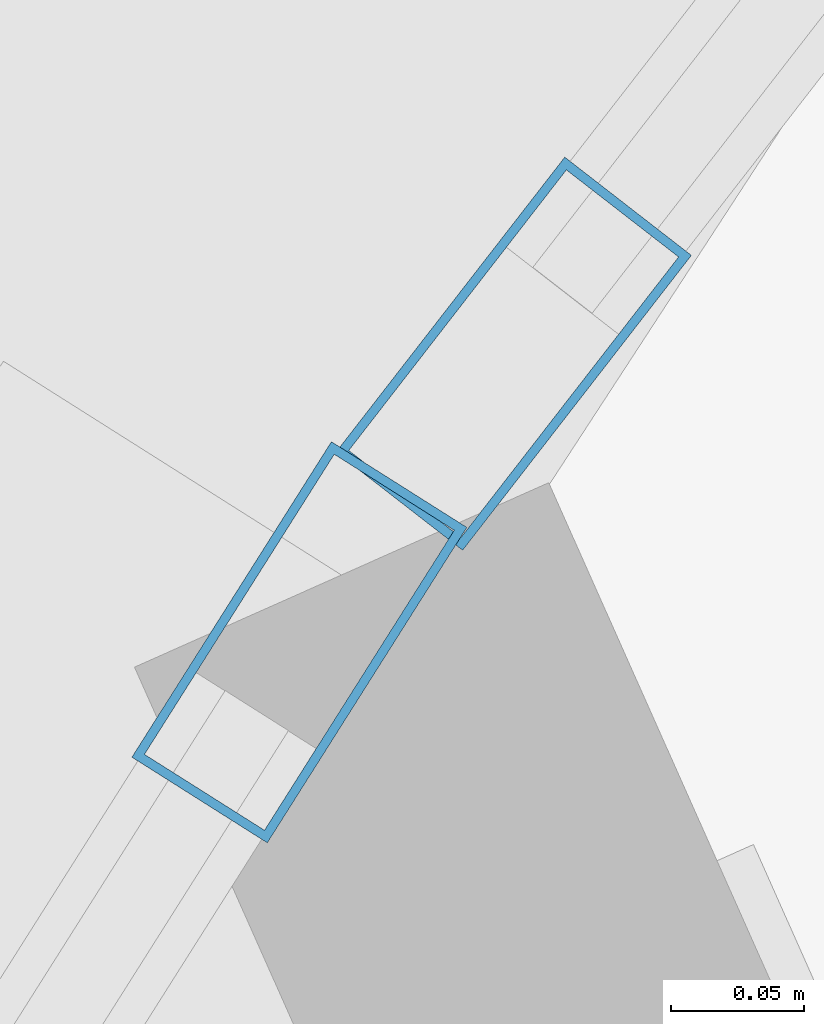
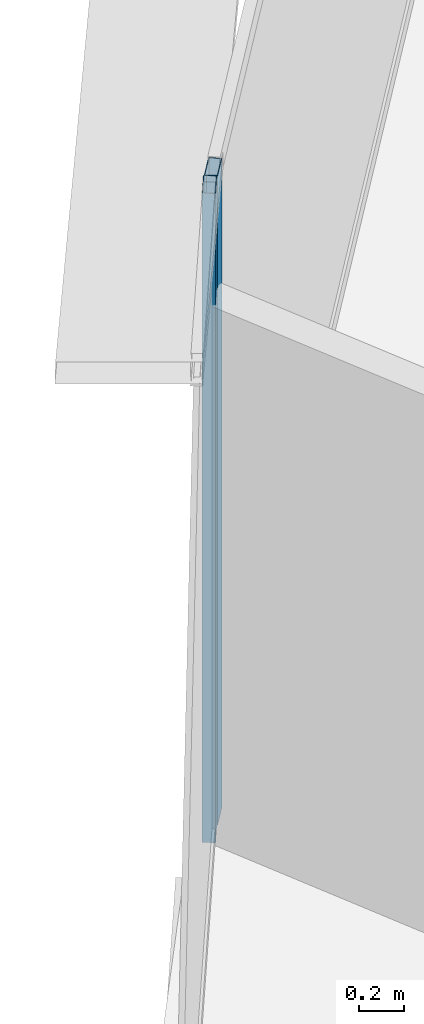
# One storey, part 20 of 33: 2 members, 2 elements without a shape of their own.
"""IFC4 building model written with IfcOpenShell, lengths in metres."""

import ifcopenshell
import ifcopenshell.guid

model = None  # the IFC model being written
_history = None  # IfcOwnerHistory: only IFC2X3 demands one
_inside = {}  # id of a spatial element -> (the spatial element, [elements in it])
_under = {}  # id of a project, library or spatial element -> (it, [spatial elements below it])
_declared = {}  # id of a project -> (the project, [libraries it declares])
_typed = {}  # id of a type object -> (the type object, [elements of that type])
_made_of = {}  # id of a material, layer set ... -> (it, [elements and type objects made of it])


def new_model(schema):
    """Start an empty IFC model of exactly this schema.

    Asked for "IFC4X3", IfcOpenShell would pick the latest addendum, in which some entities
    have other attributes; the version numbers below select the first issue.
    IFC2X3 requires an IfcOwnerHistory on every rooted entity: one is made here for all.
    """
    global model, _history
    if schema == "IFC4X3":
        model = ifcopenshell.file(schema_version=(4, 3, 0, 0))
    else:
        model = ifcopenshell.file(schema=schema)
    _inside.clear()
    _under.clear()
    _declared.clear()
    _typed.clear()
    _made_of.clear()
    _history = None
    if model.schema == "IFC2X3":
        org = make("IfcOrganization", Name="unknown")
        user = make(
            "IfcPersonAndOrganization",
            ThePerson=make("IfcPerson", FamilyName="unknown"),
            TheOrganization=org,
        )
        app = make(
            "IfcApplication",
            ApplicationDeveloper=org,
            Version="unknown",
            ApplicationFullName="unknown",
            ApplicationIdentifier="unknown",
        )
        _history = make(
            "IfcOwnerHistory",
            OwningUser=user,
            OwningApplication=app,
            ChangeAction="ADDED",
            CreationDate=0,
        )
    return model


def make(cls, **values):
    """One entity of the class cls with the attributes given. An attribute that is None is left unset."""
    return model.create_entity(
        cls, **{name: value for name, value in values.items() if value is not None}
    )


def rooted(cls, **values):
    """An entity with a GlobalId (a new one), such as an element, a storey or a relation."""
    return make(cls, GlobalId=ifcopenshell.guid.new(), OwnerHistory=_history, **values)


def si_unit(unit_type, name, prefix=None):
    """IfcSIUnit, for example si_unit("LENGTHUNIT", "METRE", prefix="MILLI")."""
    return make("IfcSIUnit", UnitType=unit_type, Prefix=prefix, Name=name)


def assignment(units):
    """IfcUnitAssignment: the units of a project."""
    return None if units is None else make("IfcUnitAssignment", Units=units)


def point(xyz):
    """IfcCartesianPoint."""
    return None if xyz is None else make("IfcCartesianPoint", Coordinates=xyz)


def direction(xyz):
    """IfcDirection."""
    return None if xyz is None else make("IfcDirection", DirectionRatios=xyz)


def frame(location, z_axis=None, x_axis=None):
    """IfcAxis2Placement3D, a coordinate frame: its origin and axes. An axis left out is left unset."""
    return make(
        "IfcAxis2Placement3D",
        Location=point(location),
        Axis=direction(z_axis),
        RefDirection=direction(x_axis),
    )


def frame_2d(location, x_axis=None):
    """IfcAxis2Placement2D, a coordinate frame in the plane: its origin and x axis."""
    return make(
        "IfcAxis2Placement2D", Location=point(location), RefDirection=direction(x_axis)
    )


def origin():
    """The frame at (0, 0, 0) with its axes left unset."""
    return frame((0.0, 0.0, 0.0))


def origin_2d():
    """The frame at (0, 0) in the plane with its x axis left unset."""
    return frame_2d((0.0, 0.0))


def place(relative_to, where):
    """IfcLocalPlacement: puts the frame where relative to a parent placement (None: the world)."""
    return make(
        "IfcLocalPlacement", PlacementRelTo=relative_to, RelativePlacement=where
    )


def context(
    kind, dimensions, precision=None, world=None, true_north=None, identifier=None
):
    """IfcGeometricRepresentationContext, for example the 3D "Model" context."""
    return make(
        "IfcGeometricRepresentationContext",
        ContextIdentifier=identifier,
        ContextType=kind,
        CoordinateSpaceDimension=dimensions,
        Precision=precision,
        WorldCoordinateSystem=world,
        TrueNorth=true_north,
    )


def subcontext(parent, identifier, kind, view, scale=None):
    """IfcGeometricRepresentationSubContext, for example "Body" below "Model"."""
    return make(
        "IfcGeometricRepresentationSubContext",
        ContextIdentifier=identifier,
        ContextType=kind,
        ParentContext=parent,
        TargetScale=scale,
        TargetView=view,
    )


def project(units=None, contexts=None):
    """IfcProject with its units and contexts."""
    return rooted(
        "IfcProject",
        Name="project",
        RepresentationContexts=contexts,
        UnitsInContext=assignment(units),
    )


def spatial(cls, under=None, at=None, **own):
    """A site, building, storey or space (cls), placed at a placement, below another one or the project."""
    s = rooted(cls, ObjectPlacement=at, **own)
    if under is not None:
        _under.setdefault(under.id(), (under, []))[1].append(s)
    return s


def profile(cls, at=None, kind="AREA", **sizes):
    """A parametric profile (cls). Its sizes go by their IFC names, for example OverallWidth=200.0."""
    return make(cls, ProfileType=kind, Position=at, **sizes)


def hollow_rectangle(**sizes):
    """IfcRectangleHollowProfileDef."""
    return profile("IfcRectangleHollowProfileDef", **sizes)


def extrude(swept, where, along, depth):
    """IfcExtrudedAreaSolid: the profile swept, set in the frame where, extruded along a direction by depth."""
    return make(
        "IfcExtrudedAreaSolid",
        SweptArea=swept,
        Position=where,
        ExtrudedDirection=direction(along),
        Depth=depth,
    )


def shape(context_of_items, identifier, shape_type, items):
    """IfcShapeRepresentation: the items that make up one representation, for example the "Body"."""
    return make(
        "IfcShapeRepresentation",
        ContextOfItems=context_of_items,
        RepresentationIdentifier=identifier,
        RepresentationType=shape_type,
        Items=items,
    )


def source(mapping_origin, context_of_items, identifier, shape_type, items):
    """IfcRepresentationMap: a shape defined once, which mapped items show again and again."""
    return make(
        "IfcRepresentationMap",
        MappingOrigin=mapping_origin,
        MappedRepresentation=shape(context_of_items, identifier, shape_type, items),
    )


def transform(
    local_origin,
    x_axis=None,
    y_axis=None,
    z_axis=None,
    scale=None,
    scale2=None,
    scale3=None,
    uniform=True,
):
    """IfcCartesianTransformationOperator3D, or its non-uniform kind. x_axis, y_axis, z_axis: its Axis1, 2, 3."""
    if uniform:
        return make(
            "IfcCartesianTransformationOperator3D",
            Axis1=direction(x_axis),
            Axis2=direction(y_axis),
            LocalOrigin=point(local_origin),
            Scale=scale,
            Axis3=direction(z_axis),
        )
    return make(
        "IfcCartesianTransformationOperator3DnonUniform",
        Axis1=direction(x_axis),
        Axis2=direction(y_axis),
        LocalOrigin=point(local_origin),
        Scale=scale,
        Axis3=direction(z_axis),
        Scale2=scale2,
        Scale3=scale3,
    )


def mapped(mapping_source, mapping_target):
    """IfcMappedItem: shows the shape of a source again, moved by a transform."""
    return make(
        "IfcMappedItem", MappingSource=mapping_source, MappingTarget=mapping_target
    )


def material(Name=None, Category=None):
    """IfcMaterial."""
    return make("IfcMaterial", Name=Name, Category=Category)


def layer(
    of_material, thickness, ventilated=None, Name=None, Category=None, Priority=None
):
    """IfcMaterialLayer: one layer of a wall or slab, of a material (None: an air gap)."""
    return make(
        "IfcMaterialLayer",
        Material=of_material,
        LayerThickness=thickness,
        IsVentilated=ventilated,
        Name=Name,
        Category=Category,
        Priority=Priority,
    )


def layer_set(layers, Name=None):
    """IfcMaterialLayerSet."""
    return make("IfcMaterialLayerSet", MaterialLayers=layers, LayerSetName=Name)


def material_profile(
    of_material, cross_section, Name=None, Category=None, Priority=None
):
    """IfcMaterialProfile: a cross section and its material."""
    return make(
        "IfcMaterialProfile",
        Name=Name,
        Material=of_material,
        Profile=cross_section,
        Priority=Priority,
        Category=Category,
    )


def profile_set(profiles, Name=None, composite=None):
    """IfcMaterialProfileSet."""
    return make(
        "IfcMaterialProfileSet",
        Name=Name,
        MaterialProfiles=profiles,
        CompositeProfile=composite,
    )


def made_of(thing, what):
    """Note that an element or type object is made of a material, layer set ...; save() writes the relation."""
    if what is not None:
        _made_of.setdefault(what.id(), (what, []))[1].append(thing)
    return thing


def type_object(cls, material=None, **own):
    """A type object (cls), such as IfcWallType, which elements share."""
    return made_of(rooted(cls, **own), material)


def element(
    cls,
    number,
    at=None,
    inside=None,
    cuts=None,
    type_object=None,
    material=None,
    context=None,
    identifier="Body",
    shape_type=None,
    held_by="IfcProductDefinitionShape",
    body=None,
    shapes=None,
    **own,
):
    """One element of the class cls, such as IfcWall. Its Tag is "e" and its number.

    at: its placement. inside: the storey or other place that contains it. cuts: it is an
    opening in that element (IfcRelVoidsElement). A single representation is given by context,
    identifier, shape_type and body (its items); several are given by shapes. held_by: the class
    of the entity that holds the representations. save() writes the other relations.
    """
    e = rooted(cls, Tag="e%d" % number, ObjectPlacement=at, **own)
    if body is not None:
        shapes = [shape(context, identifier, shape_type, body)]
    if shapes is not None:
        e.Representation = make(held_by, Representations=shapes)
    if inside is not None:
        _inside.setdefault(inside.id(), (inside, []))[1].append(e)
    if cuts is not None:
        rooted(
            "IfcRelVoidsElement", RelatingBuildingElement=cuts, RelatedOpeningElement=e
        )
    if type_object is not None:
        _typed.setdefault(type_object.id(), (type_object, []))[1].append(e)
    return made_of(e, material)


def aggregate(whole, parts):
    """IfcRelAggregates: a whole, such as a stair, and the parts it consists of."""
    return rooted("IfcRelAggregates", RelatingObject=whole, RelatedObjects=parts)


def save(model, path):
    """Write the relations noted so far, then the file.

    IfcRelAggregates (storeys below a building ...), IfcRelContainedInSpatialStructure (elements
    in a storey), IfcRelDefinesByType, IfcRelAssociatesMaterial and IfcRelDeclares: one each for
    every whole, place, type object, material and project.
    """
    for whole, parts in _under.values():
        aggregate(whole, parts)
    for where, things in _inside.values():
        rooted(
            "IfcRelContainedInSpatialStructure",
            RelatedElements=things,
            RelatingStructure=where,
        )
    for kind, things in _typed.values():
        rooted("IfcRelDefinesByType", RelatedObjects=things, RelatingType=kind)
    for what, things in _made_of.values():
        rooted("IfcRelAssociatesMaterial", RelatedObjects=things, RelatingMaterial=what)
    for by, libraries in _declared.values():
        rooted("IfcRelDeclares", RelatingContext=by, RelatedDefinitions=libraries)
    model.write(path)


model = new_model("IFC4")

# Units and contexts
model_context = context("Model", 3, precision=1e-05, world=origin(), true_north=direction((0.0, 1.0)))
body_context = subcontext(model_context, "Body", "Model", "MODEL_VIEW")
ifc_project = project(units=[si_unit("LENGTHUNIT", "METRE"), si_unit("AREAUNIT", "SQUARE_METRE"), si_unit("VOLUMEUNIT", "CUBIC_METRE"), si_unit("PLANEANGLEUNIT", "RADIAN"), si_unit("MASSUNIT", "GRAM", prefix="KILO"), si_unit("THERMODYNAMICTEMPERATUREUNIT", "KELVIN"), si_unit("POWERUNIT", "WATT")], contexts=[model_context])

# Site, building, storey
site_placement = place(None, origin())
site = spatial("IfcSite", under=ifc_project, at=site_placement, CompositionType="ELEMENT")
building_placement = place(site_placement, origin())
building = spatial("IfcBuilding", under=site, at=building_placement, Name="Yunzhuo Pagoda Commons", CompositionType="ELEMENT")
storey_placement = place(building_placement, frame((0.0, 0.0, 329.260009765625)))
storey = spatial("IfcBuildingStorey", under=building, at=storey_placement, Name="L82", CompositionType="ELEMENT", Elevation=329.260009765625)

# Curtain wall, member
ifc_material = material(Name="Anodized aluminium 6063-T6", Category="aluminium")
ifc_layer = layer(ifc_material, 0.139892578125)
ifc_layer_set = layer_set([ifc_layer], Name="Anodized aluminium 6063-T6")
curtain_wall_type = type_object("IfcCurtainWallType", Name="CW-HI High-Zone Ribbon Curtain Wall", PredefinedType="NOTDEFINED", material=ifc_layer_set)
curtain_wall_1_placement = place(storey_placement, origin())
curtain_wall_1 = element("IfcCurtainWall", 1, at=curtain_wall_1_placement, inside=storey, type_object=curtain_wall_type, Name="L82 curtain wall CW-L82-F3B2", PredefinedType="NOTDEFINED")
ifc_material_profile = material_profile(ifc_material, hollow_rectangle(XDim=0.06005859375, YDim=0.139892578125, WallThickness=0.00341796875, at=origin_2d()), Name="Anodized aluminium 6063-T6")
ifc_profile_set = profile_set([ifc_material_profile], Name="Anodized aluminium 6063-T6")
member_type = type_object("IfcMemberType", Name="CW-HI-M Mullion RHS 140x60x3.5", PredefinedType="MULLION", material=ifc_profile_set)
shared_shape = source(origin(), body_context, "Body", "SweptSolid", [
    extrude(hollow_rectangle(XDim=0.06005859375, YDim=0.139892578125, WallThickness=0.00341796875, at=origin_2d()), origin(), (0.0, 0.0, 1.0), 3.489990234375),
])
member_1_placement = place(storey_placement, frame((35.765869140625, 61.117431640625, 0.0), z_axis=(0.0, 0.0, 1.0), x_axis=(0.845148830397, -0.534531060349, 0.0)))
member_1 = element("IfcMember", 2, at=member_1_placement, type_object=member_type, Name="CW mullion 1", PredefinedType="MULLION", context=body_context, shape_type="MappedRepresentation", body=[
    mapped(shared_shape, transform((0.0, 0.0, 0.0), scale=1.0)),
])
aggregate(curtain_wall_1, [member_1])

curtain_wall_2_placement = place(storey_placement, origin())
curtain_wall_2 = element("IfcCurtainWall", 3, at=curtain_wall_2_placement, inside=storey, type_object=curtain_wall_type, Name="L82 curtain wall CW-L82-F3B1", PredefinedType="NOTDEFINED")
member_2_placement = place(storey_placement, frame((35.84619140625, 61.2255859375, 0.0), z_axis=(0.0, 0.0, 1.0), x_axis=(0.790146906982, -0.612917502921, 0.0)))
member_2 = element("IfcMember", 4, at=member_2_placement, type_object=member_type, Name="CW mullion 2", PredefinedType="MULLION", context=body_context, shape_type="MappedRepresentation", body=[
    mapped(shared_shape, transform((0.0, 0.0, 0.0), scale=1.0)),
])
aggregate(curtain_wall_2, [member_2])

save(model, "model.ifc")
